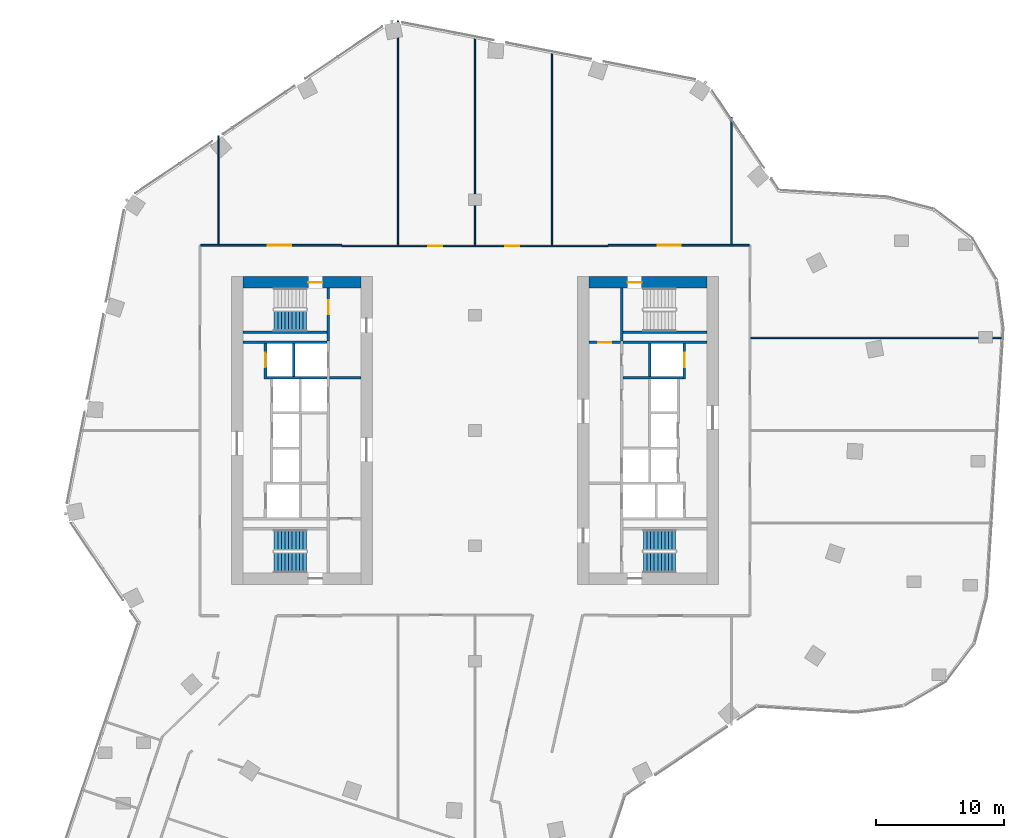
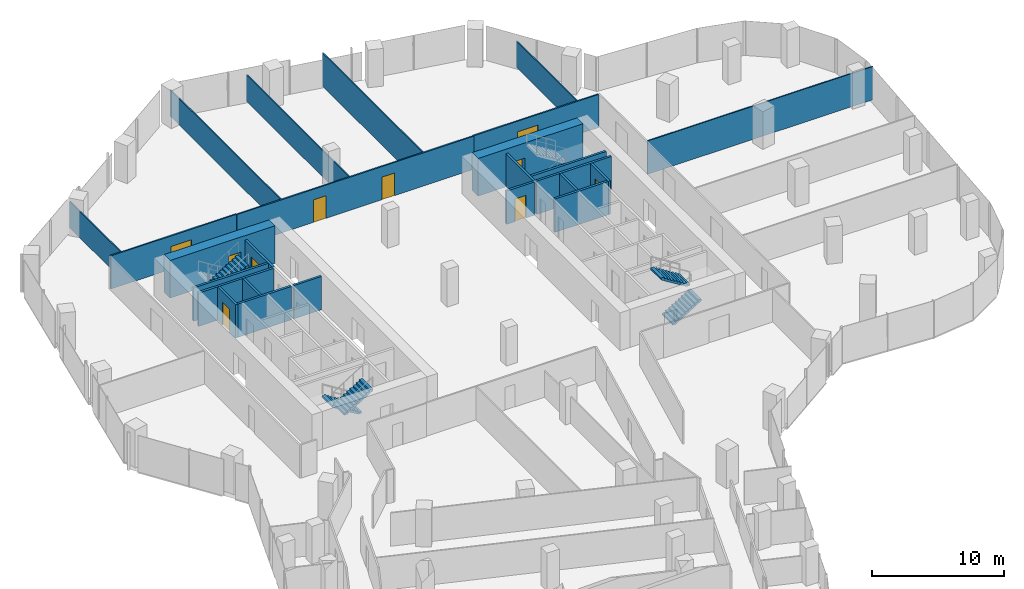
# One storey, part 22 of 25: 25 walls, 10 doors, 5 stair flights, 10 openings, 3 elements without a shape of their own.
"""IFC4 building model written with IfcOpenShell, lengths in metres."""

from ifc_helpers import new_model, si_unit, direction, frame, frame_2d, origin, place, context, subcontext, project, spatial, polyline, rectangle, outline, extrude, material, layer, layer_set, type_object, element, fill, aggregate, save


model = new_model("IFC4")

# Units and contexts
model_context = context("Model", 3, precision=1e-05, world=origin(), true_north=direction((0.0, 1.0)))
body_context = subcontext(model_context, "Body", "Model", "MODEL_VIEW")
ifc_project = project(units=[si_unit("LENGTHUNIT", "METRE"), si_unit("AREAUNIT", "SQUARE_METRE"), si_unit("VOLUMEUNIT", "CUBIC_METRE"), si_unit("PLANEANGLEUNIT", "RADIAN"), si_unit("MASSUNIT", "GRAM", prefix="KILO")], contexts=[model_context])

# Site, building, storey
site_placement = place(None, origin())
site = spatial("IfcSite", under=ifc_project, at=site_placement, CompositionType="ELEMENT")
building_placement = place(site_placement, origin())
building = spatial("IfcBuilding", under=site, at=building_placement, Name="Orlundy Tower", CompositionType="ELEMENT")
storey_placement = place(building_placement, frame((0.0, 0.0, 159.60009765625)))
storey = spatial("IfcBuildingStorey", under=building, at=storey_placement, Name="L41", CompositionType="ELEMENT", Elevation=159.60009765625)

# Wall, opening, door
ifc_material_1 = material(Name="Concrete C70/85", Category="concrete")
ifc_layer_1 = layer(ifc_material_1, 0.89990234375)
ifc_layer_set_1 = layer_set([ifc_layer_1], Name="CORE WALL 900 C70/85")
wall_type_1 = type_object("IfcWallType", Name="CORE WALL 900 C70/85", PredefinedType="SHEAR", material=ifc_layer_set_1)
wall_1_placement = place(storey_placement, frame((-18.10009765625, 11.550048828125, 0.0), z_axis=(0.0, 0.0, 1.0), x_axis=(1.0, 0.0, 0.0)))
wall_1 = element("IfcWall", 1, at=wall_1_placement, inside=storey, type_object=wall_type_1, Name="Core wall W-N L41", PredefinedType="SHEAR", context=body_context, shape_type="SweptSolid", body=[
    extrude(rectangle(XDim=9.2001953125, YDim=0.89990234375, at=frame_2d((4.60009765625, 0.0))), origin(), (0.0, 0.0, 1.0), 3.5),
])
opening_1_placement = place(wall_1_placement, frame((5.10009765625, 0.0, 0.0)))
opening_1 = element("IfcOpeningElement", 2, at=opening_1_placement, cuts=wall_1, Name="Opening 32012", PredefinedType="OPENING", context=body_context, shape_type="SweptSolid", body=[
    extrude(rectangle(XDim=1.10009765625, YDim=2.10009765625, at=frame_2d((0.550048828125, 1.050048828125))), frame((0.0, 0.4599609375, 0.0), z_axis=(0.0, -1.0, 0.0), x_axis=(1.0, 0.0, 0.0)), (0.0, 0.0, 1.0), 0.919921875),
])
ifc_material_2 = material(Name="Steel door set", Category="steel")
door_type_1 = type_object("IfcDoorType", Name="Stair Door 1100x2100", OperationType="SINGLE_SWING_LEFT", PredefinedType="DOOR", material=ifc_material_2)
door_1_placement = place(opening_1_placement, origin())
door_1 = element("IfcDoor", 3, at=door_1_placement, inside=storey, type_object=door_type_1, Name="Stair door 32012", OperationType="SINGLE_SWING_RIGHT", OverallHeight=2.10009765625, OverallWidth=1.10009765625, PredefinedType="DOOR", context=body_context, shape_type="SweptSolid", body=[
    extrude(rectangle(XDim=1.10009765625, YDim=2.10009765625, at=frame_2d((0.550048828125, 1.050048828125))), frame((0.0, 0.02490234375, 0.0), z_axis=(0.0, -1.0, 0.0), x_axis=(1.0, 0.0, 0.0)), (0.0, 0.0, 1.0), 0.050048828125),
])
fill(opening_1, door_1)

wall_2_placement = place(storey_placement, frame((8.89990234375, 11.550048828125, 0.0), z_axis=(0.0, 0.0, 1.0), x_axis=(1.0, 0.0, 0.0)))
wall_2 = element("IfcWall", 4, at=wall_2_placement, inside=storey, type_object=wall_type_1, Name="Core wall E-N L41", PredefinedType="SHEAR", context=body_context, shape_type="SweptSolid", body=[
    extrude(rectangle(XDim=9.2001953125, YDim=0.89990234375, at=frame_2d((4.60009765625, 0.0))), origin(), (0.0, 0.0, 1.0), 3.5),
])
opening_2_placement = place(wall_2_placement, frame((3.0, 0.0, 0.0)))
opening_2 = element("IfcOpeningElement", 5, at=opening_2_placement, cuts=wall_2, Name="Opening 32062", PredefinedType="OPENING", context=body_context, shape_type="SweptSolid", body=[
    extrude(rectangle(XDim=1.10009765625, YDim=2.10009765625, at=frame_2d((0.550048828125, 1.050048828125))), frame((0.0, 0.4599609375, 0.0), z_axis=(0.0, -1.0, 0.0), x_axis=(1.0, 0.0, 0.0)), (0.0, 0.0, 1.0), 0.919921875),
])
door_2_placement = place(opening_2_placement, origin())
door_2 = element("IfcDoor", 6, at=door_2_placement, inside=storey, type_object=door_type_1, Name="Stair door 32062", OperationType="SINGLE_SWING_LEFT", OverallHeight=2.10009765625, OverallWidth=1.10009765625, PredefinedType="DOOR", context=body_context, shape_type="SweptSolid", body=[
    extrude(rectangle(XDim=1.10009765625, YDim=2.10009765625, at=frame_2d((0.550048828125, 1.050048828125))), frame((0.0, 0.02490234375, 0.0), z_axis=(0.0, -1.0, 0.0), x_axis=(1.0, 0.0, 0.0)), (0.0, 0.0, 1.0), 0.050048828125),
])
fill(opening_2, door_2)

# Walls
ifc_material_3 = material(Name="Gypsum board partition")
ifc_layer_2 = layer(ifc_material_3, 0.10009765625)
ifc_layer_set_2 = layer_set([ifc_layer_2], Name="Floor partition 100")
wall_type_2 = type_object("IfcWallType", Name="Floor partition 100", PredefinedType="PARTITIONING", material=ifc_layer_set_2)
wall_3_placement = place(storey_placement, frame((21.511962890625, 7.22412109375, 0.0), z_axis=(0.0, 0.0, 1.0), x_axis=(1.0, 0.0, 0.0)))
element("IfcWall", 7, at=wall_3_placement, inside=storey, type_object=wall_type_2, Name="wall-int-L41-030", PredefinedType="PARTITIONING", context=body_context, shape_type="SweptSolid", body=[
    extrude(rectangle(XDim=19.755126953125, YDim=0.10009765625, at=frame_2d((9.87744140625, 0.0))), origin(), (0.0, 0.0, 1.0), 3.079833984375),
])
wall_4_placement = place(storey_placement, frame((6.0, 14.462890625, 0.0), z_axis=(0.0, 0.0, 1.0), x_axis=(0.0, 1.0, 0.0)))
element("IfcWall", 8, at=wall_4_placement, inside=storey, type_object=wall_type_2, Name="wall-int-L41-058", PredefinedType="PARTITIONING", context=body_context, shape_type="SweptSolid", body=[
    extrude(rectangle(XDim=15.18701171875, YDim=0.10009765625, at=frame_2d((7.593505859375, 0.0))), origin(), (0.0, 0.0, 1.0), 3.079833984375),
])
ifc_material_4 = material(Name="Gypsum board partition")
ifc_layer_3 = layer(ifc_material_4, 0.10009765625)
ifc_layer_set_3 = layer_set([ifc_layer_3], Name="Floor partition 100 B")
wall_type_3 = type_object("IfcWallType", Name="Floor partition 100 B", PredefinedType="PARTITIONING", material=ifc_layer_set_3)
wall_5_placement = place(storey_placement, frame((20.0, 14.513916015625, 0.0), z_axis=(0.0, 0.0, 1.0), x_axis=(0.0, 1.0, 0.0)))
element("IfcWall", 9, at=wall_5_placement, inside=storey, type_object=wall_type_3, Name="wall-int-L41-057", PredefinedType="PARTITIONING", context=body_context, shape_type="SweptSolid", body=[
    extrude(rectangle(XDim=9.93017578125, YDim=0.10009765625, at=frame_2d((4.965087890625, 0.0))), origin(), (0.0, 0.0, 1.0), 2.44482421875),
])
wall_6_placement = place(storey_placement, frame((0.0, 14.462890625, 0.0), z_axis=(0.0, 0.0, 1.0), x_axis=(0.0, 1.0, 0.0)))
element("IfcWall", 10, at=wall_6_placement, inside=storey, type_object=wall_type_3, Name="wall-int-L41-060", PredefinedType="PARTITIONING", context=body_context, shape_type="SweptSolid", body=[
    extrude(rectangle(XDim=16.35302734375, YDim=0.10009765625, at=frame_2d((8.176513671875, 0.0))), origin(), (0.0, 0.0, 1.0), 2.44482421875),
])
wall_7_placement = place(storey_placement, frame((-6.0, 14.462890625, 0.0), z_axis=(0.0, 0.0, 1.0), x_axis=(0.0, 1.0, 0.0)))
element("IfcWall", 11, at=wall_7_placement, inside=storey, type_object=wall_type_3, Name="wall-int-L41-062", PredefinedType="PARTITIONING", context=body_context, shape_type="SweptSolid", body=[
    extrude(rectangle(XDim=17.51904296875, YDim=0.10009765625, at=frame_2d((8.759521484375, 0.0))), origin(), (0.0, 0.0, 1.0), 2.44482421875),
])
wall_8_placement = place(storey_placement, frame((-20.0, 14.513916015625, 0.0), z_axis=(0.0, 0.0, 1.0), x_axis=(0.0, 1.0, 0.0)))
element("IfcWall", 12, at=wall_8_placement, inside=storey, type_object=wall_type_3, Name="wall-int-L41-063", PredefinedType="PARTITIONING", context=body_context, shape_type="SweptSolid", body=[
    extrude(rectangle(XDim=8.484130859375, YDim=0.10009765625, at=frame_2d((4.2421875, 0.0))), origin(), (0.0, 0.0, 1.0), 2.44482421875),
])

# Wall, openings, doors
ifc_material_5 = material(Name="Gypsum board partition, double layer")
ifc_layer_4 = layer(ifc_material_5, 0.125)
ifc_layer_set_4 = layer_set([ifc_layer_4], Name="Floor partition 125")
wall_type_4 = type_object("IfcWallType", Name="Floor partition 125", PredefinedType="PARTITIONING", material=ifc_layer_set_4)
wall_9_placement = place(storey_placement, frame((-10.389892578125, 14.40087890625, 0.0), z_axis=(0.0, 0.0, 1.0), x_axis=(1.0, 0.0, 0.0)))
wall_9 = element("IfcWall", 13, at=wall_9_placement, inside=storey, type_object=wall_type_4, Name="wall-int-L41-031", PredefinedType="PARTITIONING", context=body_context, shape_type="SweptSolid", body=[
    extrude(rectangle(XDim=20.781005859375, YDim=0.125, at=frame_2d((10.390625, 0.0))), origin(), (0.0, 0.0, 1.0), 3.079833984375),
])
opening_3_placement = place(wall_9_placement, frame((12.739990234375, 0.0, 0.0)))
opening_3 = element("IfcOpeningElement", 14, at=opening_3_placement, cuts=wall_9, Name="Opening 32124", PredefinedType="OPENING", context=body_context, shape_type="SweptSolid", body=[
    extrude(rectangle(XDim=1.10009765625, YDim=2.10009765625, at=frame_2d((0.550048828125, 1.050048828125))), frame((0.0, 0.072509765625, 0.0), z_axis=(0.0, -1.0, 0.0), x_axis=(1.0, 0.0, 0.0)), (0.0, 0.0, 1.0), 0.14501953125),
])
opening_4_placement = place(wall_9_placement, frame((6.739990234375, 0.0, 0.0)))
opening_4 = element("IfcOpeningElement", 15, at=opening_4_placement, cuts=wall_9, Name="Opening 32125", PredefinedType="OPENING", context=body_context, shape_type="SweptSolid", body=[
    extrude(rectangle(XDim=1.10009765625, YDim=2.10009765625, at=frame_2d((0.550048828125, 1.050048828125))), frame((0.0, 0.072509765625, 0.0), z_axis=(0.0, -1.0, 0.0), x_axis=(1.0, 0.0, 0.0)), (0.0, 0.0, 1.0), 0.14501953125),
])
ifc_material_6 = material(Name="Timber door leaf", Category="wood")
door_type_2 = type_object("IfcDoorType", Name="Floor door xwide 1100 FD30S", OperationType="NOTDEFINED", PredefinedType="DOOR", material=ifc_material_6)
door_3_placement = place(opening_3_placement, origin())
door_3 = element("IfcDoor", 16, at=door_3_placement, inside=storey, type_object=door_type_2, Name="Door 32124", OperationType="SINGLE_SWING_RIGHT", OverallHeight=2.10009765625, OverallWidth=1.10009765625, PredefinedType="DOOR", context=body_context, shape_type="SweptSolid", body=[
    extrude(rectangle(XDim=1.10009765625, YDim=2.10009765625, at=frame_2d((0.550048828125, 1.050048828125))), frame((0.0, 0.02490234375, 0.0), z_axis=(0.0, -1.0, 0.0), x_axis=(1.0, 0.0, 0.0)), (0.0, 0.0, 1.0), 0.050048828125),
])
fill(opening_3, door_3)
door_4_placement = place(opening_4_placement, origin())
door_4 = element("IfcDoor", 17, at=door_4_placement, inside=storey, type_object=door_type_2, Name="Door 32125", OperationType="SINGLE_SWING_LEFT", OverallHeight=2.10009765625, OverallWidth=1.10009765625, PredefinedType="DOOR", context=body_context, shape_type="SweptSolid", body=[
    extrude(rectangle(XDim=1.10009765625, YDim=2.10009765625, at=frame_2d((0.550048828125, 1.050048828125))), frame((0.0, 0.02490234375, 0.0), z_axis=(0.0, -1.0, 0.0), x_axis=(1.0, 0.0, 0.0)), (0.0, 0.0, 1.0), 0.050048828125),
])
fill(opening_4, door_4)

# Wall, opening, door
wall_10_placement = place(storey_placement, frame((-21.386962890625, 14.450927734375, 0.0), z_axis=(0.0, 0.0, 1.0), x_axis=(1.0, 0.0, 0.0)))
wall_10 = element("IfcWall", 18, at=wall_10_placement, inside=storey, type_object=wall_type_4, Name="wall-int-L41-032", PredefinedType="PARTITIONING", context=body_context, shape_type="SweptSolid", body=[
    extrude(rectangle(XDim=10.995849609375, YDim=0.125, at=frame_2d((5.498046875, 0.0))), origin(), (0.0, 0.0, 1.0), 3.079833984375),
])
opening_5_placement = place(wall_10_placement, frame((5.237548828125, 0.0, 0.0)))
opening_5 = element("IfcOpeningElement", 19, at=opening_5_placement, cuts=wall_10, Name="Opening 32126", PredefinedType="OPENING", context=body_context, shape_type="SweptSolid", body=[
    extrude(rectangle(XDim=1.800048828125, YDim=2.10009765625, at=frame_2d((0.89990234375, 1.050048828125))), frame((0.0, 0.072509765625, 0.0), z_axis=(0.0, -1.0, 0.0), x_axis=(1.0, 0.0, 0.0)), (0.0, 0.0, 1.0), 0.14501953125),
])
ifc_material_7 = material(Name="Timber door leaf", Category="wood")
door_type_3 = type_object("IfcDoorType", Name="Floor door double 1800 FD30S", OperationType="NOTDEFINED", PredefinedType="DOOR", material=ifc_material_7)
door_5_placement = place(opening_5_placement, origin())
door_5 = element("IfcDoor", 20, at=door_5_placement, inside=storey, type_object=door_type_3, Name="Door 32126", OperationType="DOUBLE_DOOR_SINGLE_SWING", OverallHeight=2.10009765625, OverallWidth=1.800048828125, PredefinedType="DOOR", context=body_context, shape_type="SweptSolid", body=[
    extrude(rectangle(XDim=1.800048828125, YDim=2.10009765625, at=frame_2d((0.89990234375, 1.050048828125))), frame((0.0, 0.02490234375, 0.0), z_axis=(0.0, -1.0, 0.0), x_axis=(1.0, 0.0, 0.0)), (0.0, 0.0, 1.0), 0.050048828125),
])
fill(opening_5, door_5)

wall_11_placement = place(storey_placement, frame((10.39111328125, 14.450927734375, 0.0), z_axis=(0.0, 0.0, 1.0), x_axis=(1.0, 0.0, 0.0)))
wall_11 = element("IfcWall", 21, at=wall_11_placement, inside=storey, type_object=wall_type_4, Name="wall-int-L41-033", PredefinedType="PARTITIONING", context=body_context, shape_type="SweptSolid", body=[
    extrude(rectangle(XDim=10.995849609375, YDim=0.125, at=frame_2d((5.498046875, 0.0))), origin(), (0.0, 0.0, 1.0), 3.079833984375),
])
opening_6_placement = place(wall_11_placement, frame((3.85009765625, 0.0, 0.0)))
opening_6 = element("IfcOpeningElement", 22, at=opening_6_placement, cuts=wall_11, Name="Opening 32123", PredefinedType="OPENING", context=body_context, shape_type="SweptSolid", body=[
    extrude(rectangle(XDim=1.800048828125, YDim=2.10009765625, at=frame_2d((0.89990234375, 1.050048828125))), frame((0.0, 0.072509765625, 0.0), z_axis=(0.0, -1.0, 0.0), x_axis=(1.0, 0.0, 0.0)), (0.0, 0.0, 1.0), 0.14501953125),
])
door_6_placement = place(opening_6_placement, origin())
door_6 = element("IfcDoor", 23, at=door_6_placement, inside=storey, type_object=door_type_3, Name="Door 32123", OperationType="DOUBLE_DOOR_SINGLE_SWING", OverallHeight=2.10009765625, OverallWidth=1.800048828125, PredefinedType="DOOR", context=body_context, shape_type="SweptSolid", body=[
    extrude(rectangle(XDim=1.800048828125, YDim=2.10009765625, at=frame_2d((0.89990234375, 1.050048828125))), frame((0.0, 0.02490234375, 0.0), z_axis=(0.0, -1.0, 0.0), x_axis=(1.0, 0.0, 0.0)), (0.0, 0.0, 1.0), 0.050048828125),
])
fill(opening_6, door_6)

ifc_material_8 = material(Name="Concrete C40/50", Category="concrete")
ifc_layer_5 = layer(ifc_material_8, 0.199951171875)
ifc_layer_set_5 = layer_set([ifc_layer_5], Name="Load-bearing Shaft Wall 200")
wall_type_5 = type_object("IfcWallType", Name="Load-bearing Shaft Wall 200", PredefinedType="SOLIDWALL", material=ifc_layer_set_5)
wall_12_placement = place(storey_placement, frame((-11.43994140625, 6.97509765625, 0.0), z_axis=(0.0, 0.0, 1.0), x_axis=(0.0, 1.0, 0.0)))
wall_12 = element("IfcWall", 24, at=wall_12_placement, inside=storey, type_object=wall_type_5, Name="Shaft wall W32-stair-end-n", PredefinedType="SOLIDWALL", context=body_context, shape_type="SweptSolid", body=[
    extrude(rectangle(XDim=4.125, YDim=0.199951171875, at=frame_2d((2.0625, 0.0))), origin(), (0.0, 0.0, 1.0), 3.08984375),
])
opening_7_placement = place(wall_12_placement, frame((2.10009765625, 0.0, 0.0)))
opening_7 = element("IfcOpeningElement", 25, at=opening_7_placement, cuts=wall_12, Name="Opening 32014", PredefinedType="OPENING", context=body_context, shape_type="SweptSolid", body=[
    extrude(rectangle(XDim=1.10009765625, YDim=2.10009765625, at=frame_2d((0.550048828125, 1.050048828125))), frame((0.0, 0.110107421875, 0.0), z_axis=(0.0, -1.0, 0.0), x_axis=(1.0, 0.0, 0.0)), (0.0, 0.0, 1.0), 0.22021484375),
])
ifc_material_9 = material(Name="Steel door set", Category="steel")
door_type_4 = type_object("IfcDoorType", Name="Fire-fighting Lobby Door 1100x2100", OperationType="SINGLE_SWING_LEFT", PredefinedType="DOOR", material=ifc_material_9)
door_7_placement = place(opening_7_placement, origin())
door_7 = element("IfcDoor", 26, at=door_7_placement, inside=storey, type_object=door_type_4, Name="Fire-fighting lobby to stair door 32014", OperationType="SINGLE_SWING_RIGHT", OverallHeight=2.10009765625, OverallWidth=1.10009765625, PredefinedType="DOOR", context=body_context, shape_type="SweptSolid", body=[
    extrude(rectangle(XDim=1.10009765625, YDim=2.10009765625, at=frame_2d((0.550048828125, 1.050048828125))), frame((0.0, 0.02490234375, 0.0), z_axis=(0.0, -1.0, 0.0), x_axis=(1.0, 0.0, 0.0)), (0.0, 0.0, 1.0), 0.050048828125),
])
fill(opening_7, door_7)

# Walls
wall_13_placement = place(storey_placement, frame((-11.5400390625, 7.64990234375, 0.0), z_axis=(0.0, 0.0, 1.0), x_axis=(-1.0, 0.0, 0.0)))
element("IfcWall", 27, at=wall_13_placement, inside=storey, type_object=wall_type_5, Name="Shaft wall W32-stair-side-n", PredefinedType="SOLIDWALL", context=body_context, shape_type="SweptSolid", body=[
    extrude(rectangle(XDim=6.56005859375, YDim=0.199951171875, at=frame_2d((3.280029296875, 0.0))), origin(), (0.0, 0.0, 1.0), 3.08984375),
])
wall_14_placement = place(storey_placement, frame((11.43994140625, 11.10009765625, 0.0), z_axis=(0.0, 0.0, 1.0), x_axis=(0.0, -1.0, 0.0)))
element("IfcWall", 28, at=wall_14_placement, inside=storey, type_object=wall_type_5, Name="Shaft wall E32-stair-end-s", PredefinedType="SOLIDWALL", context=body_context, shape_type="SweptSolid", body=[
    extrude(rectangle(XDim=4.125, YDim=0.199951171875, at=frame_2d((2.0625, 0.0))), origin(), (0.0, 0.0, 1.0), 3.08984375),
])
wall_15_placement = place(storey_placement, frame((11.5400390625, 7.64990234375, 0.0), z_axis=(0.0, 0.0, 1.0), x_axis=(1.0, 0.0, 0.0)))
element("IfcWall", 29, at=wall_15_placement, inside=storey, type_object=wall_type_5, Name="Shaft wall E32-stair-side-s", PredefinedType="SOLIDWALL", context=body_context, shape_type="SweptSolid", body=[
    extrude(rectangle(XDim=6.56005859375, YDim=0.199951171875, at=frame_2d((3.280029296875, 0.0))), origin(), (0.0, 0.0, 1.0), 3.08984375),
])
ifc_material_10 = material(Name="Gypsum board partition on steel studs", Category="steel")
ifc_layer_6 = layer(ifc_material_10, 0.199951171875)
ifc_layer_set_6 = layer_set([ifc_layer_6], Name="Partition 200")
wall_type_6 = type_object("IfcWallType", Name="Partition 200", PredefinedType="PARTITIONING", material=ifc_layer_set_6)
wall_16_placement = place(storey_placement, frame((-8.89990234375, 4.125, 0.0), z_axis=(0.0, 0.0, 1.0), x_axis=(-1.0, 0.0, 0.0)))
element("IfcWall", 30, at=wall_16_placement, inside=storey, type_object=wall_type_6, Name="Partition wall W32-lobby-n", PredefinedType="PARTITIONING", context=body_context, shape_type="SweptSolid", body=[
    extrude(rectangle(XDim=2.440185546875, YDim=0.199951171875, at=frame_2d((1.22021484375, 0.0))), origin(), (0.0, 0.0, 1.0), 3.08984375),
])

# Wall, opening, door
wall_17_placement = place(storey_placement, frame((8.89990234375, 6.875, 0.0), z_axis=(0.0, 0.0, 1.0), x_axis=(1.0, 0.0, 0.0)))
wall_17 = element("IfcWall", 31, at=wall_17_placement, inside=storey, type_object=wall_type_6, Name="Partition wall E32-end-s", PredefinedType="PARTITIONING", context=body_context, shape_type="SweptSolid", body=[
    extrude(rectangle(XDim=2.440185546875, YDim=0.199951171875, at=frame_2d((1.22021484375, 0.0))), origin(), (0.0, 0.0, 1.0), 3.08984375),
])
opening_8_placement = place(wall_17_placement, frame((0.719970703125, 0.0, 0.0)))
opening_8 = element("IfcOpeningElement", 32, at=opening_8_placement, cuts=wall_17, Name="Opening 32064", PredefinedType="OPENING", context=body_context, shape_type="SweptSolid", body=[
    extrude(rectangle(XDim=1.0, YDim=2.10009765625, at=frame_2d((0.5, 1.050048828125))), frame((0.0, 0.110107421875, 0.0), z_axis=(0.0, -1.0, 0.0), x_axis=(1.0, 0.0, 0.0)), (0.0, 0.0, 1.0), 0.22021484375),
])
ifc_material_11 = material(Name="Timber door set", Category="wood")
door_type_5 = type_object("IfcDoorType", Name="Accessible Door 1000x2100", OperationType="SINGLE_SWING_LEFT", PredefinedType="DOOR", material=ifc_material_11)
door_8_placement = place(opening_8_placement, origin())
door_8 = element("IfcDoor", 33, at=door_8_placement, inside=storey, type_object=door_type_5, Name="Accessible WC door 32064", OperationType="SINGLE_SWING_RIGHT", OverallHeight=2.10009765625, OverallWidth=1.0, PredefinedType="DOOR", context=body_context, shape_type="SweptSolid", body=[
    extrude(rectangle(XDim=1.0, YDim=2.10009765625, at=frame_2d((0.5, 1.050048828125))), frame((0.0, 0.02490234375, 0.0), z_axis=(0.0, -1.0, 0.0), x_axis=(1.0, 0.0, 0.0)), (0.0, 0.0, 1.0), 0.050048828125),
])
fill(opening_8, door_8)

# Walls
ifc_material_12 = material(Name="Fire-rated blockwork shaft wall", Category="masonry")
ifc_layer_7 = layer(ifc_material_12, 0.199951171875)
ifc_layer_set_7 = layer_set([ifc_layer_7], Name="Shaft Wall 200")
wall_type_7 = type_object("IfcWallType", Name="Shaft Wall 200", PredefinedType="SOLIDWALL", material=ifc_layer_set_7)
wall_18_placement = place(storey_placement, frame((-11.5400390625, 6.875, 0.0), z_axis=(0.0, 0.0, 1.0), x_axis=(-1.0, 0.0, 0.0)))
element("IfcWall", 34, at=wall_18_placement, inside=storey, type_object=wall_type_7, Name="Shaft wall W32-zone-n", PredefinedType="SOLIDWALL", context=body_context, shape_type="SweptSolid", body=[
    extrude(rectangle(XDim=6.56005859375, YDim=0.199951171875, at=frame_2d((3.280029296875, 0.0))), origin(), (0.0, 0.0, 1.0), 3.08984375),
])
wall_19_placement = place(storey_placement, frame((-11.5400390625, 4.125, 0.0), z_axis=(0.0, 0.0, 1.0), x_axis=(-1.0, 0.0, 0.0)))
element("IfcWall", 35, at=wall_19_placement, inside=storey, type_object=wall_type_7, Name="Shaft wall W32-cross+4.125", PredefinedType="SOLIDWALL", context=body_context, shape_type="SweptSolid", body=[
    extrude(rectangle(XDim=4.699951171875, YDim=0.199951171875, at=frame_2d((2.35009765625, 0.0))), origin(), (0.0, 0.0, 1.0), 3.08984375),
])
wall_20_placement = place(storey_placement, frame((-14.139892578125, 4.22509765625, 0.0), z_axis=(0.0, 0.0, 1.0), x_axis=(0.0, 1.0, 0.0)))
element("IfcWall", 36, at=wall_20_placement, inside=storey, type_object=wall_type_7, Name="Shaft wall W32-mid-b", PredefinedType="SOLIDWALL", context=body_context, shape_type="SweptSolid", body=[
    extrude(rectangle(XDim=2.5498046875, YDim=0.199951171875, at=frame_2d((1.27490234375, 0.0))), origin(), (0.0, 0.0, 1.0), 3.08984375),
])

# Wall, opening, door
wall_21_placement = place(storey_placement, frame((-16.340087890625, 4.02490234375, 0.0), z_axis=(0.0, 0.0, 1.0), x_axis=(0.0, 1.0, 0.0)))
wall_21 = element("IfcWall", 37, at=wall_21_placement, inside=storey, type_object=wall_type_7, Name="Shaft wall W32-front-o-c", PredefinedType="SOLIDWALL", context=body_context, shape_type="SweptSolid", body=[
    extrude(rectangle(XDim=2.75, YDim=0.199951171875, at=frame_2d((1.375, 0.0))), origin(), (0.0, 0.0, 1.0), 3.08984375),
])
opening_9_placement = place(wall_21_placement, frame((0.925048828125, 0.0, 0.0)))
opening_9 = element("IfcOpeningElement", 38, at=opening_9_placement, cuts=wall_21, Name="Opening 32006", PredefinedType="OPENING", context=body_context, shape_type="SweptSolid", body=[
    extrude(rectangle(XDim=1.10009765625, YDim=2.10009765625, at=frame_2d((0.550048828125, 1.050048828125))), frame((0.0, 0.110107421875, 0.0), z_axis=(0.0, -1.0, 0.0), x_axis=(1.0, 0.0, 0.0)), (0.0, 0.0, 1.0), 0.22021484375),
])
ifc_material_13 = material(Name="Steel door set", Category="steel")
door_type_6 = type_object("IfcDoorType", Name="Landing Door 1100x2100", OperationType="DOUBLE_DOOR_SLIDING", PredefinedType="DOOR", material=ifc_material_13)
door_9_placement = place(opening_9_placement, origin())
door_9 = element("IfcDoor", 39, at=door_9_placement, inside=storey, type_object=door_type_6, Name="Lift landing door LP-14 32006", OperationType="DOUBLE_DOOR_SLIDING", OverallHeight=2.10009765625, OverallWidth=1.10009765625, PredefinedType="DOOR", context=body_context, shape_type="SweptSolid", body=[
    extrude(rectangle(XDim=1.10009765625, YDim=2.10009765625, at=frame_2d((0.550048828125, 1.050048828125))), frame((0.0, 0.02490234375, 0.0), z_axis=(0.0, -1.0, 0.0), x_axis=(1.0, 0.0, 0.0)), (0.0, 0.0, 1.0), 0.050048828125),
])
fill(opening_9, door_9)

# Walls
wall_22_placement = place(storey_placement, frame((11.5400390625, 6.875, 0.0), z_axis=(0.0, 0.0, 1.0), x_axis=(1.0, 0.0, 0.0)))
element("IfcWall", 40, at=wall_22_placement, inside=storey, type_object=wall_type_7, Name="Shaft wall E32-zone-s", PredefinedType="SOLIDWALL", context=body_context, shape_type="SweptSolid", body=[
    extrude(rectangle(XDim=6.56005859375, YDim=0.199951171875, at=frame_2d((3.280029296875, 0.0))), origin(), (0.0, 0.0, 1.0), 3.08984375),
])
wall_23_placement = place(storey_placement, frame((11.5400390625, 4.125, 0.0), z_axis=(0.0, 0.0, 1.0), x_axis=(1.0, 0.0, 0.0)))
element("IfcWall", 41, at=wall_23_placement, inside=storey, type_object=wall_type_7, Name="Shaft wall E32-cross-4.125", PredefinedType="SOLIDWALL", context=body_context, shape_type="SweptSolid", body=[
    extrude(rectangle(XDim=4.699951171875, YDim=0.199951171875, at=frame_2d((2.35009765625, 0.0))), origin(), (0.0, 0.0, 1.0), 3.08984375),
])
wall_24_placement = place(storey_placement, frame((13.639892578125, 6.77490234375, 0.0), z_axis=(0.0, 0.0, 1.0), x_axis=(0.0, -1.0, 0.0)))
element("IfcWall", 42, at=wall_24_placement, inside=storey, type_object=wall_type_7, Name="Shaft wall E32-mid-a", PredefinedType="SOLIDWALL", context=body_context, shape_type="SweptSolid", body=[
    extrude(rectangle(XDim=2.5498046875, YDim=0.199951171875, at=frame_2d((1.27490234375, 0.0))), origin(), (0.0, 0.0, 1.0), 3.08984375),
])

# Wall, opening, door
wall_25_placement = place(storey_placement, frame((16.340087890625, 6.77490234375, 0.0), z_axis=(0.0, 0.0, 1.0), x_axis=(0.0, -1.0, 0.0)))
wall_25 = element("IfcWall", 43, at=wall_25_placement, inside=storey, type_object=wall_type_7, Name="Shaft wall E32-front-o-a", PredefinedType="SOLIDWALL", context=body_context, shape_type="SweptSolid", body=[
    extrude(rectangle(XDim=2.75, YDim=0.199951171875, at=frame_2d((1.375, 0.0))), origin(), (0.0, 0.0, 1.0), 3.08984375),
])
opening_10_placement = place(wall_25_placement, frame((0.72509765625, 0.0, 0.0)))
opening_10 = element("IfcOpeningElement", 44, at=opening_10_placement, cuts=wall_25, Name="Opening 32050", PredefinedType="OPENING", context=body_context, shape_type="SweptSolid", body=[
    extrude(rectangle(XDim=1.10009765625, YDim=2.10009765625, at=frame_2d((0.550048828125, 1.050048828125))), frame((0.0, 0.110107421875, 0.0), z_axis=(0.0, -1.0, 0.0), x_axis=(1.0, 0.0, 0.0)), (0.0, 0.0, 1.0), 0.22021484375),
])
door_10_placement = place(opening_10_placement, origin())
door_10 = element("IfcDoor", 45, at=door_10_placement, inside=storey, type_object=door_type_6, Name="Lift landing door LV-02 32050", OperationType="DOUBLE_DOOR_SLIDING", OverallHeight=2.10009765625, OverallWidth=1.10009765625, PredefinedType="DOOR", context=body_context, shape_type="SweptSolid", body=[
    extrude(rectangle(XDim=1.10009765625, YDim=2.10009765625, at=frame_2d((0.550048828125, 1.050048828125))), frame((0.0, 0.02490234375, 0.0), z_axis=(0.0, -1.0, 0.0), x_axis=(1.0, 0.0, 0.0)), (0.0, 0.0, 1.0), 0.050048828125),
])
fill(opening_10, door_10)

# Stair, stair flight
ifc_material_14 = material(Name="Concrete C50/60", Category="concrete")
stair_type = type_object("IfcStairType", Name="Exit Stair 20 risers", PredefinedType="HALF_TURN_STAIR", material=ifc_material_14)
stair_1_placement = place(storey_placement, origin())
stair_1 = element("IfcStair", 46, at=stair_1_placement, inside=storey, type_object=stair_type, Name="L41 Exit Stair ST-W1", PredefinedType="HALF_TURN_STAIR")
ifc_material_15 = material(Name="Concrete C50/60", Category="concrete")
stair_flight_type = type_object("IfcStairFlightType", Name="Stair Flight 10 risers", PredefinedType="STRAIGHT", material=ifc_material_15)
stair_flight_1_placement = place(storey_placement, frame((-15.659912109375, 8.550048828125, 1.75), z_axis=(0.0, 0.0, 1.0), x_axis=(1.0, 0.0, 0.0)))
stair_flight_1 = element("IfcStairFlight", 47, at=stair_flight_1_placement, type_object=stair_flight_type, Name="ST-W1 flight 2", NumberOfRisers=10, NumberOfTreads=9, PredefinedType="STRAIGHT", RiserHeight=0.175, TreadLength=0.28, context=body_context, shape_type="SweptSolid", body=[
    extrude(outline(polyline([(0.0, 0.0), (0.0, 0.175048828125), (0.280029296875, 0.175048828125), (0.280029296875, 0.35009765625), (0.56005859375, 0.35009765625), (0.56005859375, 0.52490234375), (0.840087890625, 0.52490234375), (0.840087890625, 0.699951171875), (1.1201171875, 0.699951171875), (1.1201171875, 0.875), (1.39990234375, 0.875), (1.39990234375, 1.050048828125), (1.679931640625, 1.050048828125), (1.679931640625, 1.22509765625), (1.9599609375, 1.22509765625), (1.9599609375, 1.39990234375), (2.239990234375, 1.39990234375), (2.239990234375, 1.574951171875), (2.52001953125, 1.574951171875), (2.52001953125, 1.75), (2.52001953125, 1.398193359375), (0.28271484375, 0.0), (0.0, 0.0)])), frame((0.0, 0.800048828125, 0.0), z_axis=(0.0, -1.0, 0.0), x_axis=(1.0, 0.0, 0.0)), (0.0, 0.0, 1.0), 1.60009765625),
])
aggregate(stair_1, [stair_flight_1])

# Stair, stair flights
stair_2_placement = place(storey_placement, origin())
stair_2 = element("IfcStair", 48, at=stair_2_placement, inside=storey, type_object=stair_type, Name="L41 Exit Stair ST-W2", PredefinedType="HALF_TURN_STAIR")
stair_flight_2_placement = place(storey_placement, frame((-13.139892578125, -8.550048828125, 0.0), z_axis=(0.0, 0.0, 1.0), x_axis=(-1.0, 0.0, 0.0)))
stair_flight_2 = element("IfcStairFlight", 49, at=stair_flight_2_placement, type_object=stair_flight_type, Name="ST-W2 flight 1", NumberOfRisers=10, NumberOfTreads=9, PredefinedType="STRAIGHT", RiserHeight=0.175, TreadLength=0.28, context=body_context, shape_type="SweptSolid", body=[
    extrude(outline(polyline([(0.0, 0.0), (0.0, 0.175048828125), (0.280029296875, 0.175048828125), (0.280029296875, 0.35009765625), (0.56005859375, 0.35009765625), (0.56005859375, 0.52490234375), (0.840087890625, 0.52490234375), (0.840087890625, 0.699951171875), (1.1201171875, 0.699951171875), (1.1201171875, 0.875), (1.39990234375, 0.875), (1.39990234375, 1.050048828125), (1.679931640625, 1.050048828125), (1.679931640625, 1.22509765625), (1.9599609375, 1.22509765625), (1.9599609375, 1.39990234375), (2.239990234375, 1.39990234375), (2.239990234375, 1.574951171875), (2.52001953125, 1.574951171875), (2.52001953125, 1.75), (2.52001953125, 1.398193359375), (0.28271484375, 0.0), (0.0, 0.0)])), frame((0.0, 0.800048828125, 0.0), z_axis=(0.0, -1.0, 0.0), x_axis=(1.0, 0.0, 0.0)), (0.0, 0.0, 1.0), 1.60009765625),
])
stair_flight_3_placement = place(storey_placement, frame((-15.659912109375, -10.300048828125, 1.75), z_axis=(0.0, 0.0, 1.0), x_axis=(1.0, 0.0, 0.0)))
stair_flight_3 = element("IfcStairFlight", 50, at=stair_flight_3_placement, type_object=stair_flight_type, Name="ST-W2 flight 2", NumberOfRisers=10, NumberOfTreads=9, PredefinedType="STRAIGHT", RiserHeight=0.175, TreadLength=0.28, context=body_context, shape_type="SweptSolid", body=[
    extrude(outline(polyline([(0.0, 0.0), (0.0, 0.175048828125), (0.280029296875, 0.175048828125), (0.280029296875, 0.35009765625), (0.56005859375, 0.35009765625), (0.56005859375, 0.52490234375), (0.840087890625, 0.52490234375), (0.840087890625, 0.699951171875), (1.1201171875, 0.699951171875), (1.1201171875, 0.875), (1.39990234375, 0.875), (1.39990234375, 1.050048828125), (1.679931640625, 1.050048828125), (1.679931640625, 1.22509765625), (1.9599609375, 1.22509765625), (1.9599609375, 1.39990234375), (2.239990234375, 1.39990234375), (2.239990234375, 1.574951171875), (2.52001953125, 1.574951171875), (2.52001953125, 1.75), (2.52001953125, 1.398193359375), (0.28271484375, 0.0), (0.0, 0.0)])), frame((0.0, 0.800048828125, 0.0), z_axis=(0.0, -1.0, 0.0), x_axis=(1.0, 0.0, 0.0)), (0.0, 0.0, 1.0), 1.60009765625),
])
aggregate(stair_2, [stair_flight_2, stair_flight_3])

stair_3_placement = place(storey_placement, origin())
stair_3 = element("IfcStair", 51, at=stair_3_placement, inside=storey, type_object=stair_type, Name="L41 Exit Stair ST-E1", PredefinedType="HALF_TURN_STAIR")
stair_flight_4_placement = place(storey_placement, frame((13.139892578125, -10.300048828125, 0.0), z_axis=(0.0, 0.0, 1.0), x_axis=(1.0, 0.0, 0.0)))
stair_flight_4 = element("IfcStairFlight", 52, at=stair_flight_4_placement, type_object=stair_flight_type, Name="ST-E1 flight 1", NumberOfRisers=10, NumberOfTreads=9, PredefinedType="STRAIGHT", RiserHeight=0.175, TreadLength=0.28, context=body_context, shape_type="SweptSolid", body=[
    extrude(outline(polyline([(0.0, 0.0), (0.0, 0.175048828125), (0.280029296875, 0.175048828125), (0.280029296875, 0.35009765625), (0.56005859375, 0.35009765625), (0.56005859375, 0.52490234375), (0.840087890625, 0.52490234375), (0.840087890625, 0.699951171875), (1.1201171875, 0.699951171875), (1.1201171875, 0.875), (1.39990234375, 0.875), (1.39990234375, 1.050048828125), (1.679931640625, 1.050048828125), (1.679931640625, 1.22509765625), (1.9599609375, 1.22509765625), (1.9599609375, 1.39990234375), (2.239990234375, 1.39990234375), (2.239990234375, 1.574951171875), (2.52001953125, 1.574951171875), (2.52001953125, 1.75), (2.52001953125, 1.398193359375), (0.28271484375, 0.0), (0.0, 0.0)])), frame((0.0, 0.800048828125, 0.0), z_axis=(0.0, -1.0, 0.0), x_axis=(1.0, 0.0, 0.0)), (0.0, 0.0, 1.0), 1.60009765625),
])
stair_flight_5_placement = place(storey_placement, frame((15.659912109375, -8.550048828125, 1.75), z_axis=(0.0, 0.0, 1.0), x_axis=(-1.0, 0.0, 0.0)))
stair_flight_5 = element("IfcStairFlight", 53, at=stair_flight_5_placement, type_object=stair_flight_type, Name="ST-E1 flight 2", NumberOfRisers=10, NumberOfTreads=9, PredefinedType="STRAIGHT", RiserHeight=0.175, TreadLength=0.28, context=body_context, shape_type="SweptSolid", body=[
    extrude(outline(polyline([(0.0, 0.0), (0.0, 0.175048828125), (0.280029296875, 0.175048828125), (0.280029296875, 0.35009765625), (0.56005859375, 0.35009765625), (0.56005859375, 0.52490234375), (0.840087890625, 0.52490234375), (0.840087890625, 0.699951171875), (1.1201171875, 0.699951171875), (1.1201171875, 0.875), (1.39990234375, 0.875), (1.39990234375, 1.050048828125), (1.679931640625, 1.050048828125), (1.679931640625, 1.22509765625), (1.9599609375, 1.22509765625), (1.9599609375, 1.39990234375), (2.239990234375, 1.39990234375), (2.239990234375, 1.574951171875), (2.52001953125, 1.574951171875), (2.52001953125, 1.75), (2.52001953125, 1.398193359375), (0.28271484375, 0.0), (0.0, 0.0)])), frame((0.0, 0.800048828125, 0.0), z_axis=(0.0, -1.0, 0.0), x_axis=(1.0, 0.0, 0.0)), (0.0, 0.0, 1.0), 1.60009765625),
])
aggregate(stair_3, [stair_flight_4, stair_flight_5])

save(model, "model.ifc")
